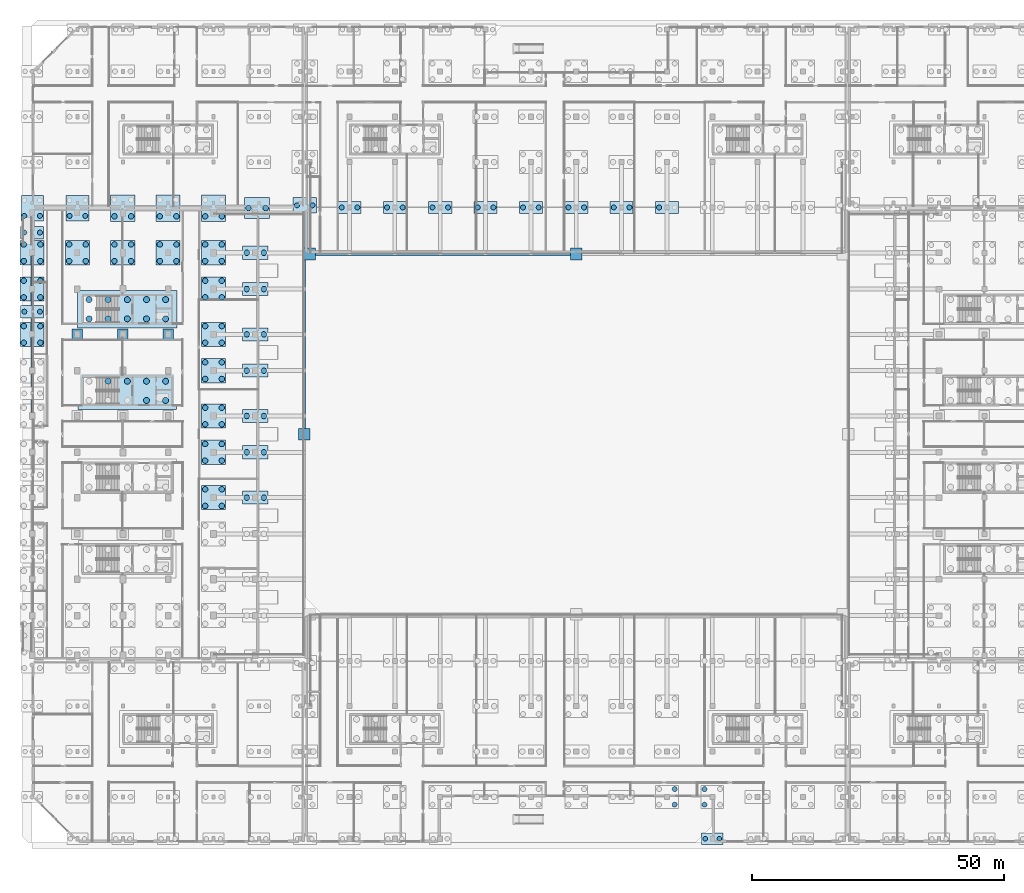
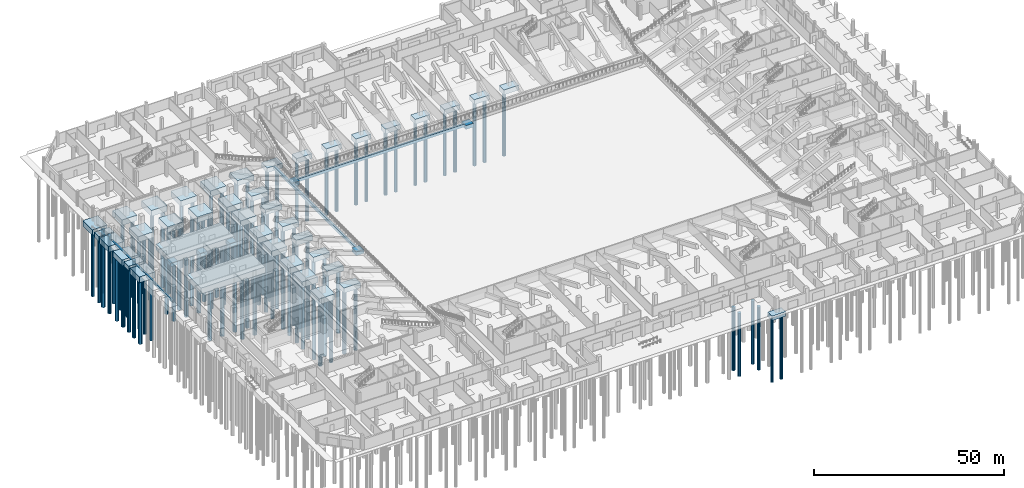
# One storey, part 3 of 53: 121 piles, 49 footings.
"""IFC4 building model written with IfcOpenShell, lengths in metres."""

from ifc_helpers import new_model, si_unit, direction, frame, origin, origin_2d, place, context, subcontext, project, spatial, rectangle, circle, extrude, material, layer, layer_set, material_profile, profile_set, type_object, element, save


model = new_model("IFC4")

# Units and contexts
model_context = context("Model", 3, precision=1e-05, world=origin(), true_north=direction((0.0, 1.0)))
body_context = subcontext(model_context, "Body", "Model", "MODEL_VIEW")
ifc_project = project(units=[si_unit("LENGTHUNIT", "METRE"), si_unit("AREAUNIT", "SQUARE_METRE"), si_unit("VOLUMEUNIT", "CUBIC_METRE"), si_unit("PLANEANGLEUNIT", "RADIAN"), si_unit("MASSUNIT", "GRAM", prefix="KILO"), si_unit("THERMODYNAMICTEMPERATUREUNIT", "KELVIN"), si_unit("POWERUNIT", "WATT")], contexts=[model_context])

# Site, building, storey
site_placement = place(None, origin())
site = spatial("IfcSite", under=ifc_project, at=site_placement, CompositionType="ELEMENT")
building_placement = place(site_placement, origin())
building = spatial("IfcBuilding", under=site, at=building_placement, Name="Sindhuravela Promenade Stadium", CompositionType="ELEMENT")
storey_placement = place(building_placement, origin())
storey = spatial("IfcBuildingStorey", under=building, at=storey_placement, Name="L00", CompositionType="ELEMENT", Elevation=0.0)

# Footings
ifc_material_1 = material(Name="Concrete M40", Category="concrete")
ifc_material_profile_1 = material_profile(ifc_material_1, rectangle(XDim=0.5, YDim=0.800048828125, at=origin_2d()), Name="RC 500x800")
ifc_profile_set_1 = profile_set([ifc_material_profile_1], Name="Concrete M40")
footing_type_1 = type_object("IfcFootingType", Name="FD-FB-500x800", PredefinedType="FOOTING_BEAM", material=ifc_profile_set_1)
footing_1_placement = place(storey_placement, frame((0.0, 84.60009765625, -0.39990234375), z_axis=(0.0, 1.0, 0.0), x_axis=(-1.0, 0.0, 0.0)))
element("IfcFooting", 1, at=footing_1_placement, inside=storey, type_object=footing_type_1, Name="Ground tie beam FB-TIE-W2", PredefinedType="FOOTING_BEAM", context=body_context, shape_type="SweptSolid", body=[
    extrude(rectangle(XDim=0.5, YDim=0.800048828125, at=origin_2d()), origin(), (0.0, 0.0, 1.0), 32.39990234375),
])
ifc_material_profile_2 = material_profile(ifc_material_1, rectangle(XDim=0.60009765625, YDim=0.89990234375, at=origin_2d()), Name="RC 600x900")
ifc_profile_set_2 = profile_set([ifc_material_profile_2], Name="Concrete M40")
footing_type_2 = type_object("IfcFootingType", Name="FD-FB-600x900", PredefinedType="FOOTING_BEAM", material=ifc_profile_set_2)
footing_2_placement = place(storey_placement, frame((54.0, 81.0, -0.449951171875), z_axis=(0.0, 1.0, 0.0), x_axis=(-1.0, 0.0, 0.0)))
element("IfcFooting", 2, at=footing_2_placement, inside=storey, type_object=footing_type_2, Name="Ground tie beam FB-PW-W2", PredefinedType="FOOTING_BEAM", context=body_context, shape_type="SweptSolid", body=[
    extrude(rectangle(XDim=0.60009765625, YDim=0.89990234375, at=origin_2d()), origin(), (0.0, 0.0, 1.0), 43.89990234375),
])
footing_3_placement = place(storey_placement, frame((55.10009765625, 116.75, -0.449951171875), z_axis=(1.0, 0.0, 0.0), x_axis=(0.0, 1.0, 0.0)))
element("IfcFooting", 3, at=footing_3_placement, inside=storey, type_object=footing_type_2, Name="Ground tie beam FB-PW-N1", PredefinedType="FOOTING_BEAM", context=body_context, shape_type="SweptSolid", body=[
    extrude(rectangle(XDim=0.60009765625, YDim=0.89990234375, at=origin_2d()), origin(), (0.0, 0.0, 1.0), 52.89990234375),
])
ifc_material_2 = material(Name="Concrete M50", Category="concrete")
ifc_layer_1 = layer(ifc_material_2, 1.89990234375)
ifc_layer_set_1 = layer_set([ifc_layer_1], Name="Concrete M50")
footing_type_3 = type_object("IfcFootingType", Name="FD-PC-19600x7400x1900", PredefinedType="PILE_CAP", material=ifc_layer_set_1)
footing_4_placement = place(storey_placement, frame((18.89990234375, 89.60009765625, -1.89990234375), z_axis=(0.0, 0.0, 1.0), x_axis=(1.0, 0.0, 0.0)))
element("IfcFooting", 4, at=footing_4_placement, inside=storey, type_object=footing_type_3, Name="Core pile cap C03", PredefinedType="PILE_CAP", context=body_context, shape_type="SweptSolid", body=[
    extrude(rectangle(XDim=19.60009765625, YDim=7.39990234375, at=origin_2d()), origin(), (0.0, 0.0, 1.0), 1.89990234375),
])
ifc_layer_2 = layer(ifc_material_2, 1.89990234375)
ifc_layer_set_2 = layer_set([ifc_layer_2], Name="Concrete M50")
footing_type_4 = type_object("IfcFootingType", Name="FD-PC-19700x7400x1900", PredefinedType="PILE_CAP", material=ifc_layer_set_2)
footing_5_placement = place(storey_placement, frame((18.89990234375, 105.800048828125, -1.89990234375), z_axis=(0.0, 0.0, 1.0), x_axis=(1.0, 0.0, 0.0)))
element("IfcFooting", 5, at=footing_5_placement, inside=storey, type_object=footing_type_4, Name="Core pile cap C04", PredefinedType="PILE_CAP", context=body_context, shape_type="SweptSolid", body=[
    extrude(rectangle(XDim=19.699951171875, YDim=7.39990234375, at=origin_2d()), origin(), (0.0, 0.0, 1.0), 1.89990234375),
])
ifc_layer_3 = layer(ifc_material_2, 1.449951171875)
ifc_layer_set_3 = layer_set([ifc_layer_3], Name="Concrete M50")
footing_type_5 = type_object("IfcFootingType", Name="FD-PC-4200x2250x1450", PredefinedType="PILE_CAP", material=ifc_layer_set_3)
footing_6_placement = place(storey_placement, frame((135.0, 0.699951171875, -1.4501953125), z_axis=(0.0, 0.0, 1.0), x_axis=(1.0, 0.0, 0.0)))
element("IfcFooting", 6, at=footing_6_placement, inside=storey, type_object=footing_type_5, Name="Pile cap PC30-0247", PredefinedType="PILE_CAP", context=body_context, shape_type="SweptSolid", body=[
    extrude(rectangle(XDim=4.199951171875, YDim=2.25, at=origin_2d()), origin(), (0.0, 0.0, 1.0), 1.449951171875),
])
ifc_layer_4 = layer(ifc_material_2, 1.75)
ifc_layer_set_4 = layer_set([ifc_layer_4], Name="Concrete M50")
footing_type_6 = type_object("IfcFootingType", Name="FD-PC-4500x5050x1750", PredefinedType="PILE_CAP", material=ifc_layer_set_4)
for number, where, z_axis, x_axis, name in (
    (7, (0.0, 125.875, -1.75), (0.0, 0.0, 1.0), (1.0, 0.0, 0.0), "Pile cap PC17-0012"),
    (8, (9.0, 125.875, -1.75), (0.0, 0.0, 1.0), (1.0, 0.0, 0.0), "Pile cap PC17-0024"),
):
    element("IfcFooting", number, at=place(storey_placement, frame(where, z_axis=z_axis, x_axis=x_axis)), inside=storey, type_object=footing_type_6, Name=name, PredefinedType="PILE_CAP", context=body_context, shape_type="SweptSolid", body=[
        extrude(rectangle(XDim=4.5, YDim=5.050048828125, at=origin_2d()), origin(), (0.0, 0.0, 1.0), 1.75),
    ])
ifc_layer_5 = layer(ifc_material_2, 1.550048828125)
ifc_layer_set_5 = layer_set([ifc_layer_5], Name="Concrete M50")
footing_type_7 = type_object("IfcFootingType", Name="FD-PC-4600x2450x1550", PredefinedType="PILE_CAP", material=ifc_layer_set_5)
for number, where, z_axis, x_axis, name in (
    (9, (63.0, 126.0, -1.5498046875), (0.0, 0.0, 1.0), (1.0, 0.0, 0.0), "Pile cap PC25-0150"),
    (10, (72.0, 126.0, -1.5498046875), (0.0, 0.0, 1.0), (1.0, 0.0, 0.0), "Pile cap PC25-0155"),
    (11, (81.0, 126.0, -1.5498046875), (0.0, 0.0, 1.0), (1.0, 0.0, 0.0), "Pile cap PC25-0160"),
    (12, (90.0, 126.0, -1.5498046875), (0.0, 0.0, 1.0), (1.0, 0.0, 0.0), "Pile cap PC25-0165"),
    (13, (99.0, 126.0, -1.5498046875), (0.0, 0.0, 1.0), (1.0, 0.0, 0.0), "Pile cap PC25-0170"),
    (14, (108.0, 126.0, -1.5498046875), (0.0, 0.0, 1.0), (1.0, 0.0, 0.0), "Pile cap PC25-0174"),
    (15, (117.0, 126.0, -1.5498046875), (0.0, 0.0, 1.0), (1.0, 0.0, 0.0), "Pile cap PC25-0178"),
    (16, (126.0, 126.0, -1.5498046875), (0.0, 0.0, 1.0), (1.0, 0.0, 0.0), "Pile cap PC25-0182"),
    (17, (0.0, 105.300048828125, -1.5498046875), (0.0, 0.0, 1.0), (1.0, 0.0, 0.0), "Pile cap PC25-0367"),
    (18, (0.0, 121.0, -1.5498046875), (0.0, 0.0, 1.0), (1.0, 0.0, 0.0), "Pile cap PC25-0369"),
):
    element("IfcFooting", number, at=place(storey_placement, frame(where, z_axis=z_axis, x_axis=x_axis)), inside=storey, type_object=footing_type_7, Name=name, PredefinedType="PILE_CAP", context=body_context, shape_type="SweptSolid", body=[
        extrude(rectangle(XDim=4.60009765625, YDim=2.449951171875, at=origin_2d()), origin(), (0.0, 0.0, 1.0), 1.550048828125),
    ])
ifc_layer_6 = layer(ifc_material_2, 1.550048828125)
ifc_layer_set_6 = layer_set([ifc_layer_6], Name="Concrete M50")
footing_type_8 = type_object("IfcFootingType", Name="FD-PC-4650x3000x1550", PredefinedType="PILE_CAP", material=ifc_layer_set_6)
footing_7_placement = place(storey_placement, frame((54.125, 126.425048828125, -1.5498046875), z_axis=(0.0, 0.0, 1.0), x_axis=(1.0, 0.0, 0.0)))
element("IfcFooting", 19, at=footing_7_placement, inside=storey, type_object=footing_type_8, Name="Pile cap PC27-0145", PredefinedType="PILE_CAP", context=body_context, shape_type="SweptSolid", body=[
    extrude(rectangle(XDim=4.64990234375, YDim=3.0, at=origin_2d()), origin(), (0.0, 0.0, 1.0), 1.550048828125),
])
ifc_layer_7 = layer(ifc_material_2, 1.85009765625)
ifc_layer_set_7 = layer_set([ifc_layer_7], Name="Concrete M50")
footing_type_9 = type_object("IfcFootingType", Name="FD-PC-4800x4800x1850", PredefinedType="PILE_CAP", material=ifc_layer_set_7)
for number, where, z_axis, x_axis, name in (
    (20, (0.0, 100.800048828125, -1.85009765625), (0.0, 0.0, 1.0), (1.0, 0.0, 0.0), "Pile cap PC18-0009"),
    (21, (0.0, 109.800048828125, -1.85009765625), (0.0, 0.0, 1.0), (1.0, 0.0, 0.0), "Pile cap PC18-0010"),
    (22, (0.0, 117.0, -1.85009765625), (0.0, 0.0, 1.0), (1.0, 0.0, 0.0), "Pile cap PC18-0011"),
    (23, (9.0, 117.0, -1.85009765625), (0.0, 0.0, 1.0), (1.0, 0.0, 0.0), "Pile cap PC18-0023"),
    (24, (18.0, 117.0, -1.85009765625), (0.0, 0.0, 1.0), (1.0, 0.0, 0.0), "Pile cap PC18-0035"),
    (25, (27.0, 117.0, -1.85009765625), (0.0, 0.0, 1.0), (1.0, 0.0, 0.0), "Pile cap PC18-0047"),
    (26, (36.0, 68.39990234375, -1.85009765625), (0.0, 0.0, 1.0), (1.0, 0.0, 0.0), "Pile cap PC18-0053"),
    (27, (36.0, 77.39990234375, -1.85009765625), (0.0, 0.0, 1.0), (1.0, 0.0, 0.0), "Pile cap PC18-0054"),
    (28, (36.0, 84.60009765625, -1.85009765625), (0.0, 0.0, 1.0), (1.0, 0.0, 0.0), "Pile cap PC18-0055"),
    (29, (36.0, 93.60009765625, -1.85009765625), (0.0, 0.0, 1.0), (1.0, 0.0, 0.0), "Pile cap PC18-0056"),
    (30, (36.0, 100.800048828125, -1.85009765625), (0.0, 0.0, 1.0), (1.0, 0.0, 0.0), "Pile cap PC18-0057"),
    (31, (36.0, 109.800048828125, -1.85009765625), (0.0, 0.0, 1.0), (1.0, 0.0, 0.0), "Pile cap PC18-0058"),
    (32, (36.0, 117.0, -1.85009765625), (0.0, 0.0, 1.0), (1.0, 0.0, 0.0), "Pile cap PC18-0059"),
):
    element("IfcFooting", number, at=place(storey_placement, frame(where, z_axis=z_axis, x_axis=x_axis)), inside=storey, type_object=footing_type_9, Name=name, PredefinedType="PILE_CAP", context=body_context, shape_type="SweptSolid", body=[
        extrude(rectangle(XDim=4.800048828125, YDim=4.800048828125, at=origin_2d()), origin(), (0.0, 0.0, 1.0), 1.85009765625),
    ])
ifc_layer_8 = layer(ifc_material_2, 1.85009765625)
ifc_layer_set_8 = layer_set([ifc_layer_8], Name="Concrete M50")
footing_type_10 = type_object("IfcFootingType", Name="FD-PC-4800x5250x1850", PredefinedType="PILE_CAP", material=ifc_layer_set_8)
for number, where, z_axis, x_axis, name in (
    (33, (18.0, 125.875, -1.85009765625), (0.0, 0.0, 1.0), (1.0, 0.0, 0.0), "Pile cap PC21-0036"),
    (34, (27.0, 125.875, -1.85009765625), (0.0, 0.0, 1.0), (1.0, 0.0, 0.0), "Pile cap PC21-0048"),
    (35, (36.0, 125.875, -1.85009765625), (0.0, 0.0, 1.0), (1.0, 0.0, 0.0), "Pile cap PC21-0060"),
):
    element("IfcFooting", number, at=place(storey_placement, frame(where, z_axis=z_axis, x_axis=x_axis)), inside=storey, type_object=footing_type_10, Name=name, PredefinedType="PILE_CAP", context=body_context, shape_type="SweptSolid", body=[
        extrude(rectangle(XDim=4.800048828125, YDim=5.25, at=origin_2d()), origin(), (0.0, 0.0, 1.0), 1.85009765625),
    ])
ifc_layer_9 = layer(ifc_material_2, 1.64990234375)
ifc_layer_set_9 = layer_set([ifc_layer_9], Name="Concrete M50")
footing_type_11 = type_object("IfcFootingType", Name="FD-PC-5000x2600x1650", PredefinedType="PILE_CAP", material=ifc_layer_set_9)
for number, where, z_axis, x_axis, name in (
    (36, (44.300048828125, 68.39990234375, -1.64990234375), (0.0, 0.0, 1.0), (1.0, 0.0, 0.0), "Pile cap PC23-0065"),
    (37, (44.300048828125, 77.39990234375, -1.64990234375), (0.0, 0.0, 1.0), (1.0, 0.0, 0.0), "Pile cap PC23-0066"),
    (38, (44.300048828125, 84.60009765625, -1.64990234375), (0.0, 0.0, 1.0), (1.0, 0.0, 0.0), "Pile cap PC23-0067"),
    (39, (44.300048828125, 93.60009765625, -1.64990234375), (0.0, 0.0, 1.0), (1.0, 0.0, 0.0), "Pile cap PC23-0068"),
    (40, (44.300048828125, 100.800048828125, -1.64990234375), (0.0, 0.0, 1.0), (1.0, 0.0, 0.0), "Pile cap PC23-0069"),
    (41, (44.300048828125, 109.800048828125, -1.64990234375), (0.0, 0.0, 1.0), (1.0, 0.0, 0.0), "Pile cap PC23-0070"),
    (42, (44.300048828125, 117.0, -1.64990234375), (0.0, 0.0, 1.0), (1.0, 0.0, 0.0), "Pile cap PC23-0071"),
):
    element("IfcFooting", number, at=place(storey_placement, frame(where, z_axis=z_axis, x_axis=x_axis)), inside=storey, type_object=footing_type_11, Name=name, PredefinedType="PILE_CAP", context=body_context, shape_type="SweptSolid", body=[
        extrude(rectangle(XDim=5.0, YDim=2.60009765625, at=origin_2d()), origin(), (0.0, 0.0, 1.0), 1.64990234375),
    ])
ifc_layer_10 = layer(ifc_material_2, 1.64990234375)
ifc_layer_set_10 = layer_set([ifc_layer_10], Name="Concrete M50")
footing_type_12 = type_object("IfcFootingType", Name="FD-PC-5000x4150x1650", PredefinedType="PILE_CAP", material=ifc_layer_set_10)
footing_8_placement = place(storey_placement, frame((44.64990234375, 125.875, -1.64990234375), z_axis=(0.0, 0.0, 1.0), x_axis=(1.0, 0.0, 0.0)))
element("IfcFooting", 43, at=footing_8_placement, inside=storey, type_object=footing_type_12, Name="Pile cap PC22-0072", PredefinedType="PILE_CAP", context=body_context, shape_type="SweptSolid", body=[
    extrude(rectangle(XDim=5.0, YDim=4.14990234375, at=origin_2d()), origin(), (0.0, 0.0, 1.0), 1.64990234375),
])
ifc_layer_11 = layer(ifc_material_2, 1.14990234375)
ifc_layer_set_11 = layer_set([ifc_layer_11], Name="Concrete M50")
footing_type_13 = type_object("IfcFootingType", Name="FD-PF-2100x2100x1150", PredefinedType="PAD_FOOTING", material=ifc_layer_set_11)
for number, where, z_axis, x_axis, name in (
    (44, (9.0, 100.800048828125, -1.14990234375), (0.0, 0.0, 1.0), (1.0, 0.0, 0.0), "Pad footing PF20-0021"),
    (45, (18.0, 100.800048828125, -1.14990234375), (0.0, 0.0, 1.0), (1.0, 0.0, 0.0), "Pad footing PF20-0033"),
    (46, (27.0, 100.800048828125, -1.14990234375), (0.0, 0.0, 1.0), (1.0, 0.0, 0.0), "Pad footing PF20-0045"),
):
    element("IfcFooting", number, at=place(storey_placement, frame(where, z_axis=z_axis, x_axis=x_axis)), inside=storey, type_object=footing_type_13, Name=name, PredefinedType="PAD_FOOTING", context=body_context, shape_type="SweptSolid", body=[
        extrude(rectangle(XDim=2.10009765625, YDim=2.10009765625, at=origin_2d()), origin(), (0.0, 0.0, 1.0), 1.14990234375),
    ])
ifc_layer_12 = layer(ifc_material_2, 1.25)
ifc_layer_set_12 = layer_set([ifc_layer_12], Name="Concrete M50")
footing_type_14 = type_object("IfcFootingType", Name="FD-PF-2300x2300x1250", PredefinedType="PAD_FOOTING", material=ifc_layer_set_12)
for number, where, z_axis, x_axis, name in (
    (47, (54.0, 81.0, -1.25), (0.0, 0.0, 1.0), (1.0, 0.0, 0.0), "Bowl plinth pad footing 2"),
    (48, (55.10009765625, 116.75, -1.25), (0.0, 0.0, 1.0), (1.0, 0.0, 0.0), "Bowl plinth pad footing 10"),
    (49, (108.0, 116.75, -1.25), (0.0, 0.0, 1.0), (1.0, 0.0, 0.0), "Bowl plinth pad footing 11"),
):
    element("IfcFooting", number, at=place(storey_placement, frame(where, z_axis=z_axis, x_axis=x_axis)), inside=storey, type_object=footing_type_14, Name=name, PredefinedType="PAD_FOOTING", context=body_context, shape_type="SweptSolid", body=[
        extrude(rectangle(XDim=2.300048828125, YDim=2.300048828125, at=origin_2d()), origin(), (0.0, 0.0, 1.0), 1.25),
    ])

# Piles
ifc_material_profile_3 = material_profile(ifc_material_1, circle(Radius=0.5, at=origin_2d()), Name="BORED PILE D1000")
ifc_profile_set_3 = profile_set([ifc_material_profile_3], Name="Concrete M40")
pile_type_1 = type_object("IfcPileType", Name="FD-PL-1000", PredefinedType="BORED", material=ifc_profile_set_3)
for number, where, z_axis, x_axis, name in (
    (50, (-1.550048828125, 124.324951171875, -1.64990234375), (0.0, 0.0, -1.0), (1.0, 0.0, 0.0), "Bored pile P1000-0205"),
    (51, (1.550048828125, 124.324951171875, -1.64990234375), (0.0, 0.0, -1.0), (1.0, 0.0, 0.0), "Bored pile P1000-0206"),
    (52, (7.449951171875, 124.324951171875, -1.64990234375), (0.0, 0.0, -1.0), (1.0, 0.0, 0.0), "Bored pile P1000-0221"),
    (53, (10.550048828125, 124.324951171875, -1.64990234375), (0.0, 0.0, -1.0), (1.0, 0.0, 0.0), "Bored pile P1000-0222"),
):
    element("IfcPile", number, at=place(storey_placement, frame(where, z_axis=z_axis, x_axis=x_axis)), inside=storey, type_object=pile_type_1, Name=name, PredefinedType="BORED", context=body_context, shape_type="SweptSolid", body=[
        extrude(circle(Radius=0.5, at=origin_2d()), origin(), (0.0, 0.0, 1.0), 20.35009765625),
    ])
for number, where, z_axis, x_axis, name in (
    (54, (52.574951171875, 126.425048828125, -1.449951171875), (0.0, 0.0, -1.0), (1.0, 0.0, 0.0), "Bored pile P1000-0469"),
    (55, (55.675048828125, 126.425048828125, -1.449951171875), (0.0, 0.0, -1.0), (1.0, 0.0, 0.0), "Bored pile P1000-0470"),
    (56, (61.449951171875, 126.0, -1.449951171875), (0.0, 0.0, -1.0), (1.0, 0.0, 0.0), "Bored pile P1000-0483"),
    (57, (64.550048828125, 126.0, -1.449951171875), (0.0, 0.0, -1.0), (1.0, 0.0, 0.0), "Bored pile P1000-0484"),
    (58, (70.449951171875, 126.0, -1.449951171875), (0.0, 0.0, -1.0), (1.0, 0.0, 0.0), "Bored pile P1000-0489"),
    (59, (73.550048828125, 126.0, -1.449951171875), (0.0, 0.0, -1.0), (1.0, 0.0, 0.0), "Bored pile P1000-0490"),
    (60, (79.449951171875, 126.0, -1.449951171875), (0.0, 0.0, -1.0), (1.0, 0.0, 0.0), "Bored pile P1000-0497"),
    (61, (82.550048828125, 126.0, -1.449951171875), (0.0, 0.0, -1.0), (1.0, 0.0, 0.0), "Bored pile P1000-0498"),
    (62, (88.449951171875, 126.0, -1.449951171875), (0.0, 0.0, -1.0), (1.0, 0.0, 0.0), "Bored pile P1000-0505"),
    (63, (91.550048828125, 126.0, -1.449951171875), (0.0, 0.0, -1.0), (1.0, 0.0, 0.0), "Bored pile P1000-0506"),
    (64, (97.449951171875, 126.0, -1.449951171875), (0.0, 0.0, -1.0), (1.0, 0.0, 0.0), "Bored pile P1000-0515"),
    (65, (100.550048828125, 126.0, -1.449951171875), (0.0, 0.0, -1.0), (1.0, 0.0, 0.0), "Bored pile P1000-0516"),
    (66, (106.449951171875, 126.0, -1.449951171875), (0.0, 0.0, -1.0), (1.0, 0.0, 0.0), "Bored pile P1000-0527"),
    (67, (109.550048828125, 126.0, -1.449951171875), (0.0, 0.0, -1.0), (1.0, 0.0, 0.0), "Bored pile P1000-0528"),
    (68, (115.449951171875, 126.0, -1.449951171875), (0.0, 0.0, -1.0), (1.0, 0.0, 0.0), "Bored pile P1000-0539"),
    (69, (118.550048828125, 126.0, -1.449951171875), (0.0, 0.0, -1.0), (1.0, 0.0, 0.0), "Bored pile P1000-0540"),
    (70, (124.449951171875, 126.0, -1.449951171875), (0.0, 0.0, -1.0), (1.0, 0.0, 0.0), "Bored pile P1000-0547"),
):
    element("IfcPile", number, at=place(storey_placement, frame(where, z_axis=z_axis, x_axis=x_axis)), inside=storey, type_object=pile_type_1, Name=name, PredefinedType="BORED", context=body_context, shape_type="SweptSolid", body=[
        extrude(circle(Radius=0.5, at=origin_2d()), origin(), (0.0, 0.0, 1.0), 20.550048828125),
    ])
for number, where, z_axis, x_axis, name in (
    (71, (127.550048828125, 7.449951171875, -1.64990234375), (0.0, 0.0, -1.0), (1.0, 0.0, 0.0), "Bored pile P1000-0674"),
    (72, (127.550048828125, 10.550048828125, -1.64990234375), (0.0, 0.0, -1.0), (1.0, 0.0, 0.0), "Bored pile P1000-0676"),
    (73, (133.449951171875, 7.449951171875, -1.64990234375), (0.0, 0.0, -1.0), (1.0, 0.0, 0.0), "Bored pile P1000-0687"),
    (74, (133.449951171875, 10.550048828125, -1.64990234375), (0.0, 0.0, -1.0), (1.0, 0.0, 0.0), "Bored pile P1000-0689"),
):
    element("IfcPile", number, at=place(storey_placement, frame(where, z_axis=z_axis, x_axis=x_axis)), inside=storey, type_object=pile_type_1, Name=name, PredefinedType="BORED", context=body_context, shape_type="SweptSolid", body=[
        extrude(circle(Radius=0.5, at=origin_2d()), origin(), (0.0, 0.0, 1.0), 20.35009765625),
    ])
for number, where, z_axis, x_axis, name in (
    (75, (-1.550048828125, 105.300048828125, -1.449951171875), (0.0, 0.0, -1.0), (1.0, 0.0, 0.0), "Bored pile P1000-0873"),
    (76, (1.550048828125, 105.300048828125, -1.449951171875), (0.0, 0.0, -1.0), (1.0, 0.0, 0.0), "Bored pile P1000-0874"),
    (77, (-1.550048828125, 121.0, -1.449951171875), (0.0, 0.0, -1.0), (1.0, 0.0, 0.0), "Bored pile P1000-0877"),
    (78, (1.550048828125, 121.0, -1.449951171875), (0.0, 0.0, -1.0), (1.0, 0.0, 0.0), "Bored pile P1000-0878"),
):
    element("IfcPile", number, at=place(storey_placement, frame(where, z_axis=z_axis, x_axis=x_axis)), inside=storey, type_object=pile_type_1, Name=name, PredefinedType="BORED", context=body_context, shape_type="SweptSolid", body=[
        extrude(circle(Radius=0.5, at=origin_2d()), origin(), (0.0, 0.0, 1.0), 20.550048828125),
    ])
ifc_material_profile_4 = material_profile(ifc_material_1, circle(Radius=0.550048828125, at=origin_2d()), Name="BORED PILE D1100")
ifc_profile_set_4 = profile_set([ifc_material_profile_4], Name="Concrete M40")
pile_type_2 = type_object("IfcPileType", Name="FD-PL-1100", PredefinedType="BORED", material=ifc_profile_set_4)
for number, where, z_axis, x_axis, name in (
    (79, (-1.64990234375, 99.14990234375, -1.75), (0.0, 0.0, -1.0), (1.0, 0.0, 0.0), "Bored pile P1100-0193"),
    (80, (1.64990234375, 99.14990234375, -1.75), (0.0, 0.0, -1.0), (1.0, 0.0, 0.0), "Bored pile P1100-0194"),
    (81, (-1.64990234375, 102.449951171875, -1.75), (0.0, 0.0, -1.0), (1.0, 0.0, 0.0), "Bored pile P1100-0195"),
    (82, (1.64990234375, 102.449951171875, -1.75), (0.0, 0.0, -1.0), (1.0, 0.0, 0.0), "Bored pile P1100-0196"),
    (83, (-1.64990234375, 108.14990234375, -1.75), (0.0, 0.0, -1.0), (1.0, 0.0, 0.0), "Bored pile P1100-0197"),
    (84, (1.64990234375, 108.14990234375, -1.75), (0.0, 0.0, -1.0), (1.0, 0.0, 0.0), "Bored pile P1100-0198"),
    (85, (-1.64990234375, 111.449951171875, -1.75), (0.0, 0.0, -1.0), (1.0, 0.0, 0.0), "Bored pile P1100-0199"),
    (86, (1.64990234375, 111.449951171875, -1.75), (0.0, 0.0, -1.0), (1.0, 0.0, 0.0), "Bored pile P1100-0200"),
    (87, (-1.64990234375, 115.35009765625, -1.75), (0.0, 0.0, -1.0), (1.0, 0.0, 0.0), "Bored pile P1100-0201"),
    (88, (1.64990234375, 115.35009765625, -1.75), (0.0, 0.0, -1.0), (1.0, 0.0, 0.0), "Bored pile P1100-0202"),
    (89, (-1.64990234375, 118.64990234375, -1.75), (0.0, 0.0, -1.0), (1.0, 0.0, 0.0), "Bored pile P1100-0203"),
    (90, (1.64990234375, 118.64990234375, -1.75), (0.0, 0.0, -1.0), (1.0, 0.0, 0.0), "Bored pile P1100-0204"),
    (91, (7.35009765625, 115.35009765625, -1.75), (0.0, 0.0, -1.0), (1.0, 0.0, 0.0), "Bored pile P1100-0217"),
    (92, (10.64990234375, 115.35009765625, -1.75), (0.0, 0.0, -1.0), (1.0, 0.0, 0.0), "Bored pile P1100-0218"),
    (93, (7.35009765625, 118.64990234375, -1.75), (0.0, 0.0, -1.0), (1.0, 0.0, 0.0), "Bored pile P1100-0219"),
    (94, (10.64990234375, 118.64990234375, -1.75), (0.0, 0.0, -1.0), (1.0, 0.0, 0.0), "Bored pile P1100-0220"),
    (95, (16.35009765625, 115.35009765625, -1.75), (0.0, 0.0, -1.0), (1.0, 0.0, 0.0), "Bored pile P1100-0233"),
    (96, (19.64990234375, 115.35009765625, -1.75), (0.0, 0.0, -1.0), (1.0, 0.0, 0.0), "Bored pile P1100-0234"),
    (97, (16.35009765625, 118.64990234375, -1.75), (0.0, 0.0, -1.0), (1.0, 0.0, 0.0), "Bored pile P1100-0235"),
    (98, (19.64990234375, 118.64990234375, -1.75), (0.0, 0.0, -1.0), (1.0, 0.0, 0.0), "Bored pile P1100-0236"),
    (99, (16.35009765625, 124.22509765625, -1.75), (0.0, 0.0, -1.0), (1.0, 0.0, 0.0), "Bored pile P1100-0237"),
    (100, (19.64990234375, 124.22509765625, -1.75), (0.0, 0.0, -1.0), (1.0, 0.0, 0.0), "Bored pile P1100-0238"),
    (101, (25.35009765625, 115.35009765625, -1.75), (0.0, 0.0, -1.0), (1.0, 0.0, 0.0), "Bored pile P1100-0249"),
    (102, (28.64990234375, 115.35009765625, -1.75), (0.0, 0.0, -1.0), (1.0, 0.0, 0.0), "Bored pile P1100-0250"),
    (103, (25.35009765625, 118.64990234375, -1.75), (0.0, 0.0, -1.0), (1.0, 0.0, 0.0), "Bored pile P1100-0251"),
    (104, (28.64990234375, 118.64990234375, -1.75), (0.0, 0.0, -1.0), (1.0, 0.0, 0.0), "Bored pile P1100-0252"),
    (105, (25.35009765625, 124.22509765625, -1.75), (0.0, 0.0, -1.0), (1.0, 0.0, 0.0), "Bored pile P1100-0253"),
    (106, (28.64990234375, 124.22509765625, -1.75), (0.0, 0.0, -1.0), (1.0, 0.0, 0.0), "Bored pile P1100-0254"),
    (107, (34.35009765625, 66.75, -1.75), (0.0, 0.0, -1.0), (1.0, 0.0, 0.0), "Bored pile P1100-0273"),
    (108, (37.64990234375, 66.75, -1.75), (0.0, 0.0, -1.0), (1.0, 0.0, 0.0), "Bored pile P1100-0274"),
    (109, (34.35009765625, 70.050048828125, -1.75), (0.0, 0.0, -1.0), (1.0, 0.0, 0.0), "Bored pile P1100-0275"),
    (110, (37.64990234375, 70.050048828125, -1.75), (0.0, 0.0, -1.0), (1.0, 0.0, 0.0), "Bored pile P1100-0276"),
    (111, (34.35009765625, 75.75, -1.75), (0.0, 0.0, -1.0), (1.0, 0.0, 0.0), "Bored pile P1100-0277"),
    (112, (37.64990234375, 75.75, -1.75), (0.0, 0.0, -1.0), (1.0, 0.0, 0.0), "Bored pile P1100-0278"),
    (113, (34.35009765625, 79.050048828125, -1.75), (0.0, 0.0, -1.0), (1.0, 0.0, 0.0), "Bored pile P1100-0279"),
    (114, (37.64990234375, 79.050048828125, -1.75), (0.0, 0.0, -1.0), (1.0, 0.0, 0.0), "Bored pile P1100-0280"),
    (115, (34.35009765625, 82.949951171875, -1.75), (0.0, 0.0, -1.0), (1.0, 0.0, 0.0), "Bored pile P1100-0281"),
    (116, (37.64990234375, 82.949951171875, -1.75), (0.0, 0.0, -1.0), (1.0, 0.0, 0.0), "Bored pile P1100-0282"),
    (117, (34.35009765625, 86.25, -1.75), (0.0, 0.0, -1.0), (1.0, 0.0, 0.0), "Bored pile P1100-0283"),
    (118, (37.64990234375, 86.25, -1.75), (0.0, 0.0, -1.0), (1.0, 0.0, 0.0), "Bored pile P1100-0284"),
    (119, (34.35009765625, 91.949951171875, -1.75), (0.0, 0.0, -1.0), (1.0, 0.0, 0.0), "Bored pile P1100-0285"),
    (120, (37.64990234375, 91.949951171875, -1.75), (0.0, 0.0, -1.0), (1.0, 0.0, 0.0), "Bored pile P1100-0286"),
    (121, (34.35009765625, 95.25, -1.75), (0.0, 0.0, -1.0), (1.0, 0.0, 0.0), "Bored pile P1100-0287"),
    (122, (37.64990234375, 95.25, -1.75), (0.0, 0.0, -1.0), (1.0, 0.0, 0.0), "Bored pile P1100-0288"),
    (123, (34.35009765625, 99.14990234375, -1.75), (0.0, 0.0, -1.0), (1.0, 0.0, 0.0), "Bored pile P1100-0289"),
    (124, (37.64990234375, 99.14990234375, -1.75), (0.0, 0.0, -1.0), (1.0, 0.0, 0.0), "Bored pile P1100-0290"),
    (125, (34.35009765625, 102.449951171875, -1.75), (0.0, 0.0, -1.0), (1.0, 0.0, 0.0), "Bored pile P1100-0291"),
    (126, (37.64990234375, 102.449951171875, -1.75), (0.0, 0.0, -1.0), (1.0, 0.0, 0.0), "Bored pile P1100-0292"),
    (127, (34.35009765625, 108.14990234375, -1.75), (0.0, 0.0, -1.0), (1.0, 0.0, 0.0), "Bored pile P1100-0293"),
    (128, (37.64990234375, 108.14990234375, -1.75), (0.0, 0.0, -1.0), (1.0, 0.0, 0.0), "Bored pile P1100-0294"),
    (129, (34.35009765625, 111.449951171875, -1.75), (0.0, 0.0, -1.0), (1.0, 0.0, 0.0), "Bored pile P1100-0295"),
    (130, (37.64990234375, 111.449951171875, -1.75), (0.0, 0.0, -1.0), (1.0, 0.0, 0.0), "Bored pile P1100-0296"),
    (131, (34.35009765625, 115.35009765625, -1.75), (0.0, 0.0, -1.0), (1.0, 0.0, 0.0), "Bored pile P1100-0297"),
    (132, (37.64990234375, 115.35009765625, -1.75), (0.0, 0.0, -1.0), (1.0, 0.0, 0.0), "Bored pile P1100-0298"),
    (133, (34.35009765625, 118.64990234375, -1.75), (0.0, 0.0, -1.0), (1.0, 0.0, 0.0), "Bored pile P1100-0299"),
    (134, (37.64990234375, 118.64990234375, -1.75), (0.0, 0.0, -1.0), (1.0, 0.0, 0.0), "Bored pile P1100-0300"),
    (135, (34.35009765625, 124.22509765625, -1.75), (0.0, 0.0, -1.0), (1.0, 0.0, 0.0), "Bored pile P1100-0301"),
    (136, (37.64990234375, 124.22509765625, -1.75), (0.0, 0.0, -1.0), (1.0, 0.0, 0.0), "Bored pile P1100-0302"),
):
    element("IfcPile", number, at=place(storey_placement, frame(where, z_axis=z_axis, x_axis=x_axis)), inside=storey, type_object=pile_type_2, Name=name, PredefinedType="BORED", context=body_context, shape_type="SweptSolid", body=[
        extrude(circle(Radius=0.550048828125, at=origin_2d()), origin(), (0.0, 0.0, 1.0), 20.25),
    ])
for number, where, z_axis, x_axis, name in (
    (137, (42.60009765625, 68.39990234375, -1.550048828125), (0.0, 0.0, -1.0), (1.0, 0.0, 0.0), "Bored pile P1100-0313"),
    (138, (46.0, 68.39990234375, -1.550048828125), (0.0, 0.0, -1.0), (1.0, 0.0, 0.0), "Bored pile P1100-0314"),
    (139, (42.60009765625, 77.39990234375, -1.550048828125), (0.0, 0.0, -1.0), (1.0, 0.0, 0.0), "Bored pile P1100-0315"),
    (140, (46.0, 77.39990234375, -1.550048828125), (0.0, 0.0, -1.0), (1.0, 0.0, 0.0), "Bored pile P1100-0316"),
    (141, (42.60009765625, 84.60009765625, -1.550048828125), (0.0, 0.0, -1.0), (1.0, 0.0, 0.0), "Bored pile P1100-0317"),
    (142, (46.0, 84.60009765625, -1.550048828125), (0.0, 0.0, -1.0), (1.0, 0.0, 0.0), "Bored pile P1100-0318"),
    (143, (42.60009765625, 93.60009765625, -1.550048828125), (0.0, 0.0, -1.0), (1.0, 0.0, 0.0), "Bored pile P1100-0319"),
    (144, (46.0, 93.60009765625, -1.550048828125), (0.0, 0.0, -1.0), (1.0, 0.0, 0.0), "Bored pile P1100-0320"),
    (145, (42.60009765625, 100.800048828125, -1.550048828125), (0.0, 0.0, -1.0), (1.0, 0.0, 0.0), "Bored pile P1100-0321"),
    (146, (46.0, 100.800048828125, -1.550048828125), (0.0, 0.0, -1.0), (1.0, 0.0, 0.0), "Bored pile P1100-0322"),
    (147, (42.60009765625, 109.800048828125, -1.550048828125), (0.0, 0.0, -1.0), (1.0, 0.0, 0.0), "Bored pile P1100-0323"),
    (148, (46.0, 109.800048828125, -1.550048828125), (0.0, 0.0, -1.0), (1.0, 0.0, 0.0), "Bored pile P1100-0324"),
    (149, (42.60009765625, 117.0, -1.550048828125), (0.0, 0.0, -1.0), (1.0, 0.0, 0.0), "Bored pile P1100-0325"),
    (150, (46.0, 117.0, -1.550048828125), (0.0, 0.0, -1.0), (1.0, 0.0, 0.0), "Bored pile P1100-0326"),
    (151, (42.949951171875, 125.875, -1.550048828125), (0.0, 0.0, -1.0), (1.0, 0.0, 0.0), "Bored pile P1100-0327"),
    (152, (46.35009765625, 125.875, -1.550048828125), (0.0, 0.0, -1.0), (1.0, 0.0, 0.0), "Bored pile P1100-0328"),
):
    element("IfcPile", number, at=place(storey_placement, frame(where, z_axis=z_axis, x_axis=x_axis)), inside=storey, type_object=pile_type_2, Name=name, PredefinedType="BORED", context=body_context, shape_type="SweptSolid", body=[
        extrude(circle(Radius=0.550048828125, at=origin_2d()), origin(), (0.0, 0.0, 1.0), 20.449951171875),
    ])
ifc_material_profile_5 = material_profile(ifc_material_1, circle(Radius=0.60009765625, at=origin_2d()), Name="BORED PILE D1200")
ifc_profile_set_5 = profile_set([ifc_material_profile_5], Name="Concrete M40")
pile_type_3 = type_object("IfcPileType", Name="FD-PL-1200", PredefinedType="BORED", material=ifc_profile_set_5)
for number, where, z_axis, x_axis, name in (
    (153, (15.10009765625, 91.5, -1.800048828125), (0.0, 0.0, -1.0), (1.0, 0.0, 0.0), "Bored pile P1200-0024"),
    (154, (18.89990234375, 91.5, -1.800048828125), (0.0, 0.0, -1.0), (1.0, 0.0, 0.0), "Bored pile P1200-0026"),
    (155, (22.699951171875, 87.699951171875, -1.800048828125), (0.0, 0.0, -1.0), (1.0, 0.0, 0.0), "Bored pile P1200-0027"),
    (156, (22.699951171875, 91.5, -1.800048828125), (0.0, 0.0, -1.0), (1.0, 0.0, 0.0), "Bored pile P1200-0028"),
    (157, (26.5, 87.699951171875, -1.800048828125), (0.0, 0.0, -1.0), (1.0, 0.0, 0.0), "Bored pile P1200-0029"),
    (158, (26.5, 91.5, -1.800048828125), (0.0, 0.0, -1.0), (1.0, 0.0, 0.0), "Bored pile P1200-0030"),
    (159, (11.300048828125, 103.89990234375, -1.800048828125), (0.0, 0.0, -1.0), (1.0, 0.0, 0.0), "Bored pile P1200-0031"),
    (160, (11.300048828125, 107.699951171875, -1.800048828125), (0.0, 0.0, -1.0), (1.0, 0.0, 0.0), "Bored pile P1200-0032"),
    (161, (15.10009765625, 103.89990234375, -1.800048828125), (0.0, 0.0, -1.0), (1.0, 0.0, 0.0), "Bored pile P1200-0033"),
    (162, (15.10009765625, 107.699951171875, -1.800048828125), (0.0, 0.0, -1.0), (1.0, 0.0, 0.0), "Bored pile P1200-0034"),
    (163, (18.89990234375, 103.89990234375, -1.800048828125), (0.0, 0.0, -1.0), (1.0, 0.0, 0.0), "Bored pile P1200-0035"),
    (164, (18.89990234375, 107.699951171875, -1.800048828125), (0.0, 0.0, -1.0), (1.0, 0.0, 0.0), "Bored pile P1200-0036"),
    (165, (22.699951171875, 103.89990234375, -1.800048828125), (0.0, 0.0, -1.0), (1.0, 0.0, 0.0), "Bored pile P1200-0037"),
    (166, (22.699951171875, 107.699951171875, -1.800048828125), (0.0, 0.0, -1.0), (1.0, 0.0, 0.0), "Bored pile P1200-0038"),
    (167, (26.5, 103.89990234375, -1.800048828125), (0.0, 0.0, -1.0), (1.0, 0.0, 0.0), "Bored pile P1200-0039"),
    (168, (26.5, 107.699951171875, -1.800048828125), (0.0, 0.0, -1.0), (1.0, 0.0, 0.0), "Bored pile P1200-0040"),
):
    element("IfcPile", number, at=place(storey_placement, frame(where, z_axis=z_axis, x_axis=x_axis)), inside=storey, type_object=pile_type_3, Name=name, PredefinedType="BORED", context=body_context, shape_type="SweptSolid", body=[
        extrude(circle(Radius=0.60009765625, at=origin_2d()), origin(), (0.0, 0.0, 1.0), 20.199951171875),
    ])
ifc_material_profile_6 = material_profile(ifc_material_1, circle(Radius=0.449951171875, at=origin_2d()), Name="BORED PILE D900")
ifc_profile_set_6 = profile_set([ifc_material_profile_6], Name="Concrete M40")
pile_type_4 = type_object("IfcPileType", Name="FD-PL-900", PredefinedType="BORED", material=ifc_profile_set_6)
for number, where, z_axis, x_axis, name in (
    (169, (133.60009765625, 0.699951171875, -1.35009765625), (0.0, 0.0, -1.0), (1.0, 0.0, 0.0), "Bored pile P900-0685"),
    (170, (136.39990234375, 0.699951171875, -1.35009765625), (0.0, 0.0, -1.0), (1.0, 0.0, 0.0), "Bored pile P900-0686"),
):
    element("IfcPile", number, at=place(storey_placement, frame(where, z_axis=z_axis, x_axis=x_axis)), inside=storey, type_object=pile_type_4, Name=name, PredefinedType="BORED", context=body_context, shape_type="SweptSolid", body=[
        extrude(circle(Radius=0.449951171875, at=origin_2d()), origin(), (0.0, 0.0, 1.0), 20.64990234375),
    ])

save(model, "model.ifc")
